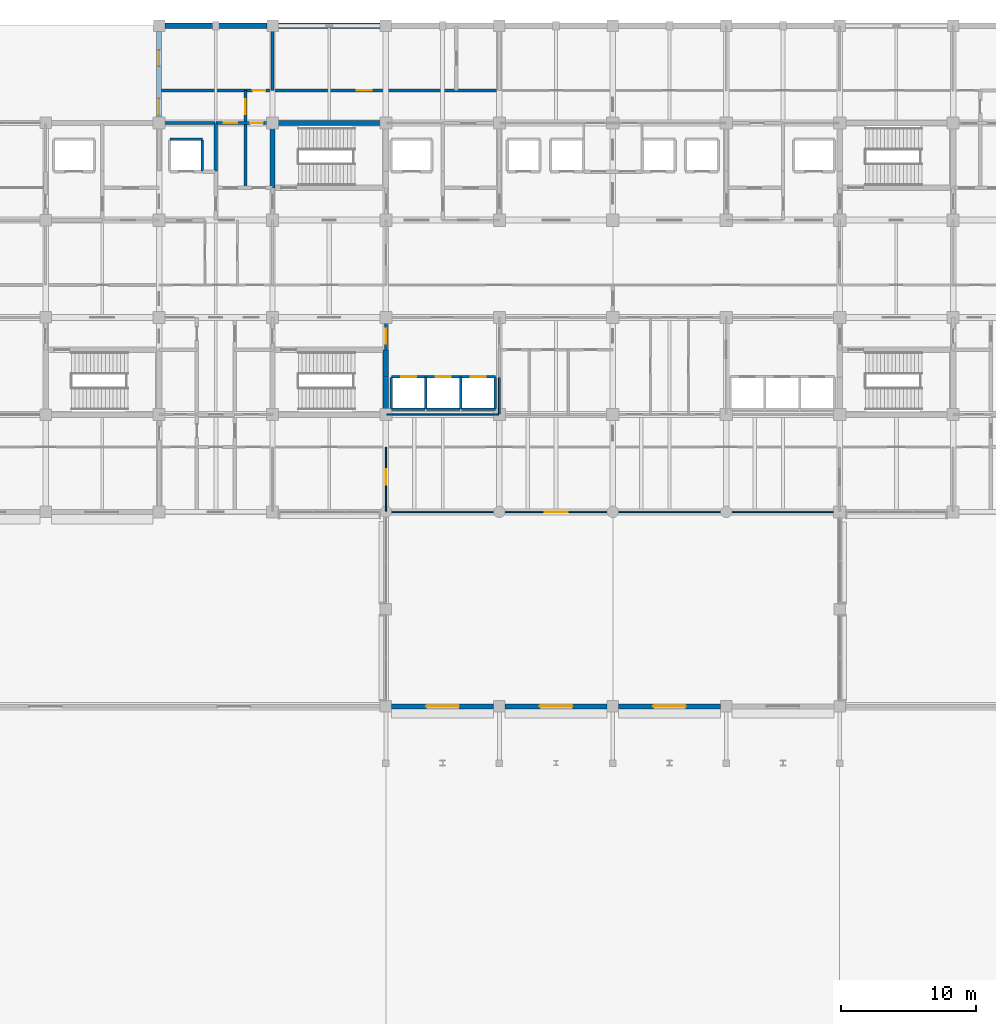
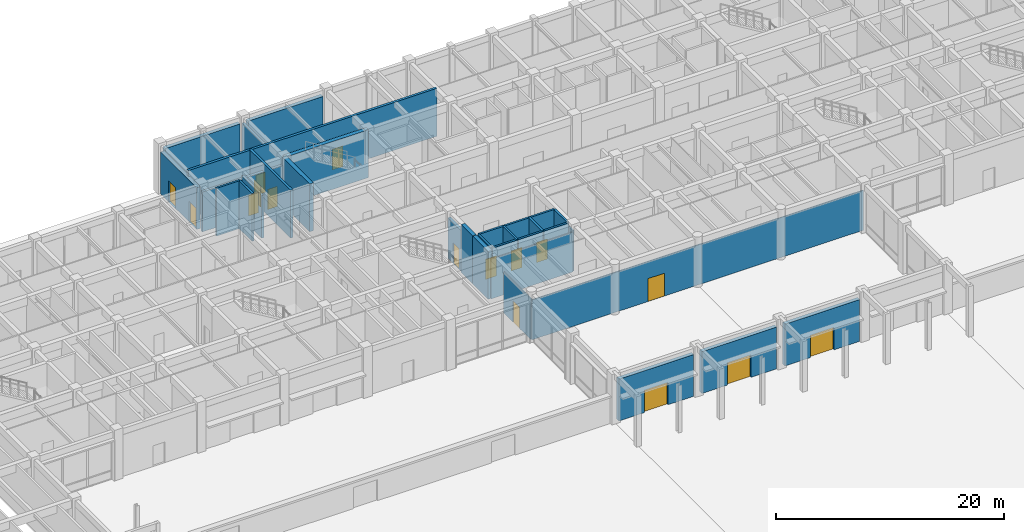
# One storey, part 46 of 73: 31 walls, 16 doors, 16 openings.
"""IFC4 building model written with IfcOpenShell, lengths in metres."""

from ifc_helpers import new_model, si_unit, direction, frame, frame_2d, origin, place, context, subcontext, project, spatial, rectangle, extrude, material, layer, layer_set, type_object, element, fill, save


model = new_model("IFC4")

# Units and contexts
model_context = context("Model", 3, precision=1e-05, world=origin(), true_north=direction((0.0, 1.0)))
body_context = subcontext(model_context, "Body", "Model", "MODEL_VIEW")
ifc_project = project(units=[si_unit("LENGTHUNIT", "METRE"), si_unit("AREAUNIT", "SQUARE_METRE"), si_unit("VOLUMEUNIT", "CUBIC_METRE"), si_unit("PLANEANGLEUNIT", "RADIAN"), si_unit("MASSUNIT", "GRAM", prefix="KILO")], contexts=[model_context])

# Site, building, storey
site_placement = place(None, origin())
site = spatial("IfcSite", under=ifc_project, at=site_placement, CompositionType="ELEMENT")
building_placement = place(site_placement, origin())
building = spatial("IfcBuilding", under=site, at=building_placement, Name="Chengyuan Square Courthouse", CompositionType="ELEMENT")
storey_placement = place(building_placement, origin())
storey = spatial("IfcBuildingStorey", under=building, at=storey_placement, Name="L01", CompositionType="ELEMENT", Elevation=0.0)

# Wall
ifc_material_1 = material(Name="Concrete C40", Category="concrete")
ifc_layer_1 = layer(ifc_material_1, 0.3798828125)
ifc_layer_set_1 = layer_set([ifc_layer_1], Name="Concrete C40")
wall_type_1 = type_object("IfcWallType", Name="WL-EW1", PredefinedType="STANDARD", material=ifc_layer_set_1)
wall_1_placement = place(storey_placement, frame((50.820068359375, 115.199951171875, 0.0), z_axis=(0.0, 0.0, 1.0), x_axis=(1.0, 0.0, 0.0)))
element("IfcWall", 1, at=wall_1_placement, inside=storey, type_object=wall_type_1, Name="Exterior Wall WL-L01-E168", PredefinedType="STANDARD", context=body_context, shape_type="SweptSolid", body=[
    extrude(rectangle(XDim=7.559814453125, YDim=0.3798828125, at=frame_2d((3.77978515625, 0.0))), origin(), (0.0, 0.0, 1.0), 4.469970703125),
])

# Wall, openings, doors
wall_2_placement = place(storey_placement, frame((50.39990234375, 108.445068359375, 0.0), z_axis=(0.0, 0.0, 1.0), x_axis=(0.0, 1.0, 0.0)))
wall_2 = element("IfcWall", 2, at=wall_2_placement, inside=storey, type_object=wall_type_1, Name="Exterior Wall WL-L01-E169", PredefinedType="STANDARD", context=body_context, shape_type="SweptSolid", body=[
    extrude(rectangle(XDim=6.3349609375, YDim=0.3798828125, at=frame_2d((3.16748046875, 0.0))), origin(), (0.0, 0.0, 1.0), 4.469970703125),
])
opening_1_placement = place(wall_2_placement, frame((0.155029296875, 0.0, 0.0)))
opening_1 = element("IfcOpeningElement", 3, at=opening_1_placement, cuts=wall_2, Name="Opening E-23", PredefinedType="OPENING", context=body_context, shape_type="SweptSolid", body=[
    extrude(rectangle(XDim=1.199951171875, YDim=2.199951171875, at=frame_2d((0.60009765625, 1.10009765625))), frame((0.0, 0.201904296875, 0.0), z_axis=(0.0, -1.0, 0.0), x_axis=(1.0, 0.0, 0.0)), (0.0, 0.0, 1.0), 0.40380859375),
])
opening_2_placement = place(wall_2_placement, frame((3.7548828125, 0.0, 0.0)))
opening_2 = element("IfcOpeningElement", 4, at=opening_2_placement, cuts=wall_2, Name="Opening DR-001", PredefinedType="OPENING", context=body_context, shape_type="SweptSolid", body=[
    extrude(rectangle(XDim=1.199951171875, YDim=2.199951171875, at=frame_2d((0.60009765625, 1.10009765625))), frame((0.0, 0.201904296875, 0.0), z_axis=(0.0, -1.0, 0.0), x_axis=(1.0, 0.0, 0.0)), (0.0, 0.0, 1.0), 0.40380859375),
])
ifc_material_2 = material(Name="Steel Q235B Fire Exit Door", Category="steel")
door_type_1 = type_object("IfcDoorType", Name="DT-03", OperationType="NOTDEFINED", PredefinedType="DOOR", material=ifc_material_2)
door_1_placement = place(opening_1_placement, origin())
door_1 = element("IfcDoor", 5, at=door_1_placement, inside=storey, type_object=door_type_1, Name="Protected Stair Exit Discharge Door E-23", OperationType="SINGLE_SWING_RIGHT", OverallHeight=2.199951171875, OverallWidth=1.199951171875, PredefinedType="DOOR", context=body_context, shape_type="SweptSolid", body=[
    extrude(rectangle(XDim=1.199951171875, YDim=2.199951171875, at=frame_2d((0.60009765625, 1.10009765625))), frame((0.0, 0.02490234375, 0.0), z_axis=(0.0, -1.0, 0.0), x_axis=(1.0, 0.0, 0.0)), (0.0, 0.0, 1.0), 0.050048828125),
])
fill(opening_1, door_1)
door_2_placement = place(opening_2_placement, origin())
door_2 = element("IfcDoor", 6, at=door_2_placement, inside=storey, type_object=door_type_1, Name="Fire Control Room Final Exit Door DR-001", OperationType="SINGLE_SWING_RIGHT", OverallHeight=2.199951171875, OverallWidth=1.199951171875, PredefinedType="DOOR", context=body_context, shape_type="SweptSolid", body=[
    extrude(rectangle(XDim=1.199951171875, YDim=2.199951171875, at=frame_2d((0.60009765625, 1.10009765625))), frame((0.0, 0.02490234375, 0.0), z_axis=(0.0, -1.0, 0.0), x_axis=(1.0, 0.0, 0.0)), (0.0, 0.0, 1.0), 0.050048828125),
])
fill(opening_2, door_2)

# Wall
wall_3_placement = place(storey_placement, frame((59.219970703125, 115.199951171875, 0.0), z_axis=(0.0, 0.0, 1.0), x_axis=(1.0, 0.0, 0.0)))
element("IfcWall", 7, at=wall_3_placement, inside=storey, type_object=wall_type_1, Name="Exterior Wall WL-L01-E170", PredefinedType="STANDARD", context=body_context, shape_type="SweptSolid", body=[
    extrude(rectangle(XDim=7.56005859375, YDim=0.3798828125, at=frame_2d((3.780029296875, 0.0))), origin(), (0.0, 0.0, 1.0), 4.469970703125),
])

# Wall, opening, door
wall_4_placement = place(storey_placement, frame((67.6201171875, 64.800048828125, 0.0), z_axis=(0.0, 0.0, 1.0), x_axis=(1.0, 0.0, 0.0)))
wall_4 = element("IfcWall", 8, at=wall_4_placement, inside=storey, type_object=wall_type_1, Name="Exterior Wall WL-L01-E171", PredefinedType="STANDARD", context=body_context, shape_type="SweptSolid", body=[
    extrude(rectangle(XDim=7.559814453125, YDim=0.3798828125, at=frame_2d((3.77978515625, 0.0))), origin(), (0.0, 0.0, 1.0), 4.469970703125),
])
opening_3_placement = place(wall_4_placement, frame((2.580078125, 0.0, 0.0)))
opening_3 = element("IfcOpeningElement", 9, at=opening_3_placement, cuts=wall_4, Name="Opening E-09", PredefinedType="OPENING", context=body_context, shape_type="SweptSolid", body=[
    extrude(rectangle(XDim=2.39990234375, YDim=2.39990234375, at=frame_2d((1.199951171875, 1.199951171875))), frame((0.0, 0.201904296875, 0.0), z_axis=(0.0, -1.0, 0.0), x_axis=(1.0, 0.0, 0.0)), (0.0, 0.0, 1.0), 0.40380859375),
])
ifc_material_3 = material(Name="Glazed Bronze Civic Entrance Door")
door_type_2 = type_object("IfcDoorType", Name="DT-01", OperationType="DOUBLE_DOOR_SINGLE_SWING", PredefinedType="DOOR", material=ifc_material_3)
door_3_placement = place(opening_3_placement, frame((2.39990234375, 0.0, 0.0), z_axis=(0.0, 0.0, 1.0), x_axis=(-1.0, 0.0, 0.0)))
door_3 = element("IfcDoor", 10, at=door_3_placement, inside=storey, type_object=door_type_2, Name="Main Pedestrian Entrance Exit Door E-09", OperationType="DOUBLE_DOOR_SINGLE_SWING", OverallHeight=2.39990234375, OverallWidth=2.39990234375, PredefinedType="DOOR", context=body_context, shape_type="SweptSolid", body=[
    extrude(rectangle(XDim=2.39990234375, YDim=2.39990234375, at=frame_2d((1.199951171875, 1.199951171875))), frame((0.0, 0.02490234375, 0.0), z_axis=(0.0, -1.0, 0.0), x_axis=(1.0, 0.0, 0.0)), (0.0, 0.0, 1.0), 0.050048828125),
])
fill(opening_3, door_3)

wall_5_placement = place(storey_placement, frame((76.02001953125, 64.800048828125, 0.0), z_axis=(0.0, 0.0, 1.0), x_axis=(1.0, 0.0, 0.0)))
wall_5 = element("IfcWall", 11, at=wall_5_placement, inside=storey, type_object=wall_type_1, Name="Exterior Wall WL-L01-E173", PredefinedType="STANDARD", context=body_context, shape_type="SweptSolid", body=[
    extrude(rectangle(XDim=7.56005859375, YDim=0.3798828125, at=frame_2d((3.780029296875, 0.0))), origin(), (0.0, 0.0, 1.0), 4.469970703125),
])
opening_4_placement = place(wall_5_placement, frame((2.580078125, 0.0, 0.0)))
opening_4 = element("IfcOpeningElement", 12, at=opening_4_placement, cuts=wall_5, Name="Opening E-10", PredefinedType="OPENING", context=body_context, shape_type="SweptSolid", body=[
    extrude(rectangle(XDim=2.39990234375, YDim=2.39990234375, at=frame_2d((1.199951171875, 1.199951171875))), frame((0.0, 0.201904296875, 0.0), z_axis=(0.0, -1.0, 0.0), x_axis=(1.0, 0.0, 0.0)), (0.0, 0.0, 1.0), 0.40380859375),
])
door_4_placement = place(opening_4_placement, frame((2.39990234375, 0.0, 0.0), z_axis=(0.0, 0.0, 1.0), x_axis=(-1.0, 0.0, 0.0)))
door_4 = element("IfcDoor", 13, at=door_4_placement, inside=storey, type_object=door_type_2, Name="Main Pedestrian Entrance Exit Door E-10", OperationType="DOUBLE_DOOR_SINGLE_SWING", OverallHeight=2.39990234375, OverallWidth=2.39990234375, PredefinedType="DOOR", context=body_context, shape_type="SweptSolid", body=[
    extrude(rectangle(XDim=2.39990234375, YDim=2.39990234375, at=frame_2d((1.199951171875, 1.199951171875))), frame((0.0, 0.02490234375, 0.0), z_axis=(0.0, -1.0, 0.0), x_axis=(1.0, 0.0, 0.0)), (0.0, 0.0, 1.0), 0.050048828125),
])
fill(opening_4, door_4)

wall_6_placement = place(storey_placement, frame((84.419921875, 64.800048828125, 0.0), z_axis=(0.0, 0.0, 1.0), x_axis=(1.0, 0.0, 0.0)))
wall_6 = element("IfcWall", 14, at=wall_6_placement, inside=storey, type_object=wall_type_1, Name="Exterior Wall WL-L01-E175", PredefinedType="STANDARD", context=body_context, shape_type="SweptSolid", body=[
    extrude(rectangle(XDim=7.56005859375, YDim=0.3798828125, at=frame_2d((3.780029296875, 0.0))), origin(), (0.0, 0.0, 1.0), 4.469970703125),
])
opening_5_placement = place(wall_6_placement, frame((2.580078125, 0.0, 0.0)))
opening_5 = element("IfcOpeningElement", 15, at=opening_5_placement, cuts=wall_6, Name="Opening E-11", PredefinedType="OPENING", context=body_context, shape_type="SweptSolid", body=[
    extrude(rectangle(XDim=2.39990234375, YDim=2.39990234375, at=frame_2d((1.199951171875, 1.199951171875))), frame((0.0, 0.201904296875, 0.0), z_axis=(0.0, -1.0, 0.0), x_axis=(1.0, 0.0, 0.0)), (0.0, 0.0, 1.0), 0.40380859375),
])
door_5_placement = place(opening_5_placement, frame((2.39990234375, 0.0, 0.0), z_axis=(0.0, 0.0, 1.0), x_axis=(-1.0, 0.0, 0.0)))
door_5 = element("IfcDoor", 16, at=door_5_placement, inside=storey, type_object=door_type_2, Name="Main Pedestrian Entrance Exit Door E-11", OperationType="DOUBLE_DOOR_SINGLE_SWING", OverallHeight=2.39990234375, OverallWidth=2.39990234375, PredefinedType="DOOR", context=body_context, shape_type="SweptSolid", body=[
    extrude(rectangle(XDim=2.39990234375, YDim=2.39990234375, at=frame_2d((1.199951171875, 1.199951171875))), frame((0.0, 0.02490234375, 0.0), z_axis=(0.0, -1.0, 0.0), x_axis=(1.0, 0.0, 0.0)), (0.0, 0.0, 1.0), 0.050048828125),
])
fill(opening_5, door_5)

# Wall
ifc_layer_2 = layer(ifc_material_1, 0.25)
ifc_layer_set_2 = layer_set([ifc_layer_2], Name="Concrete C40")
wall_type_2 = type_object("IfcWallType", Name="WL-FW1", PredefinedType="STANDARD", material=ifc_layer_set_2)
wall_7_placement = place(storey_placement, frame((50.449951171875, 108.0, 0.0), z_axis=(0.0, 0.0, 1.0), x_axis=(1.0, 0.0, 0.0)))
element("IfcWall", 17, at=wall_7_placement, inside=storey, type_object=wall_type_2, Name="Interior Wall WL-L01-I804", PredefinedType="STANDARD", context=body_context, shape_type="SweptSolid", body=[
    extrude(rectangle(XDim=4.10009765625, YDim=0.25, at=frame_2d((2.050048828125, 0.0))), origin(), (0.0, 0.0, 1.0), 4.27001953125),
])

# Wall, openings, doors
wall_8_placement = place(storey_placement, frame((54.60009765625, 108.0, 0.0), z_axis=(0.0, 0.0, 1.0), x_axis=(1.0, 0.0, 0.0)))
wall_8 = element("IfcWall", 18, at=wall_8_placement, inside=storey, type_object=wall_type_2, Name="Interior Wall WL-L01-I805", PredefinedType="STANDARD", context=body_context, shape_type="SweptSolid", body=[
    extrude(rectangle(XDim=4.199951171875, YDim=0.25, at=frame_2d((2.10009765625, 0.0))), origin(), (0.0, 0.0, 1.0), 4.27001953125),
])
opening_6_placement = place(wall_8_placement, frame((0.60009765625, 0.0, 0.0)))
opening_6 = element("IfcOpeningElement", 19, at=opening_6_placement, cuts=wall_8, Name="Opening DR-747", PredefinedType="OPENING", context=body_context, shape_type="SweptSolid", body=[
    extrude(rectangle(XDim=1.0, YDim=2.199951171875, at=frame_2d((0.5, 1.10009765625))), frame((0.0, 0.136962890625, 0.0), z_axis=(0.0, -1.0, 0.0), x_axis=(1.0, 0.0, 0.0)), (0.0, 0.0, 1.0), 0.27392578125),
])
opening_7_placement = place(wall_8_placement, frame((2.5400390625, 0.0, 0.0)))
opening_7 = element("IfcOpeningElement", 20, at=opening_7_placement, cuts=wall_8, Name="Opening DR-748", PredefinedType="OPENING", context=body_context, shape_type="SweptSolid", body=[
    extrude(rectangle(XDim=0.949951171875, YDim=2.14990234375, at=frame_2d((0.47509765625, 1.074951171875))), frame((0.0, 0.136962890625, 0.0), z_axis=(0.0, -1.0, 0.0), x_axis=(1.0, 0.0, 0.0)), (0.0, 0.0, 1.0), 0.27392578125),
])
ifc_material_4 = material(Name="Steel Q235B Fire Door", Category="steel")
door_type_3 = type_object("IfcDoorType", Name="DT-11", OperationType="NOTDEFINED", PredefinedType="DOOR", material=ifc_material_4)
door_6_placement = place(opening_6_placement, origin())
door_6 = element("IfcDoor", 21, at=door_6_placement, inside=storey, type_object=door_type_3, Name="Interior Door DR-747", OperationType="SINGLE_SWING_LEFT", OverallHeight=2.199951171875, OverallWidth=1.0, PredefinedType="DOOR", context=body_context, shape_type="SweptSolid", body=[
    extrude(rectangle(XDim=1.0, YDim=2.199951171875, at=frame_2d((0.5, 1.10009765625))), frame((0.0, 0.02490234375, 0.0), z_axis=(0.0, -1.0, 0.0), x_axis=(1.0, 0.0, 0.0)), (0.0, 0.0, 1.0), 0.050048828125),
])
fill(opening_6, door_6)
door_type_4 = type_object("IfcDoorType", Name="DT-12", OperationType="NOTDEFINED", PredefinedType="DOOR", material=ifc_material_4)
door_7_placement = place(opening_7_placement, origin())
door_7 = element("IfcDoor", 22, at=door_7_placement, inside=storey, type_object=door_type_4, Name="Interior Door DR-748", OperationType="SINGLE_SWING_RIGHT", OverallHeight=2.14990234375, OverallWidth=0.949951171875, PredefinedType="DOOR", context=body_context, shape_type="SweptSolid", body=[
    extrude(rectangle(XDim=0.949951171875, YDim=2.14990234375, at=frame_2d((0.47509765625, 1.074951171875))), frame((0.0, 0.02490234375, 0.0), z_axis=(0.0, -1.0, 0.0), x_axis=(1.0, 0.0, 0.0)), (0.0, 0.0, 1.0), 0.050048828125),
])
fill(opening_7, door_7)

wall_9_placement = place(storey_placement, frame((50.43994140625, 110.39990234375, 0.0), z_axis=(0.0, 0.0, 1.0), x_axis=(1.0, 0.0, 0.0)))
wall_9 = element("IfcWall", 23, at=wall_9_placement, inside=storey, type_object=wall_type_2, Name="Interior Wall WL-L01-I817", PredefinedType="STANDARD", context=body_context, shape_type="SweptSolid", body=[
    extrude(rectangle(XDim=25.16015625, YDim=0.25, at=frame_2d((12.580078125, 0.0))), origin(), (0.0, 0.0, 1.0), 5.1201171875),
])
opening_8_placement = place(wall_9_placement, frame((6.885009765625, 0.0, 0.0)))
opening_8 = element("IfcOpeningElement", 24, at=opening_8_placement, cuts=wall_9, Name="Opening DR-898", PredefinedType="OPENING", context=body_context, shape_type="SweptSolid", body=[
    extrude(rectangle(XDim=0.949951171875, YDim=2.14990234375, at=frame_2d((0.47509765625, 1.074951171875))), frame((0.0, 0.136962890625, 0.0), z_axis=(0.0, -1.0, 0.0), x_axis=(1.0, 0.0, 0.0)), (0.0, 0.0, 1.0), 0.27392578125),
])
opening_9_placement = place(wall_9_placement, frame((14.610107421875, 0.0, 0.0)))
opening_9 = element("IfcOpeningElement", 25, at=opening_9_placement, cuts=wall_9, Name="Opening DR-899", PredefinedType="OPENING", context=body_context, shape_type="SweptSolid", body=[
    extrude(rectangle(XDim=1.10009765625, YDim=2.199951171875, at=frame_2d((0.550048828125, 1.10009765625))), frame((0.0, 0.136962890625, 0.0), z_axis=(0.0, -1.0, 0.0), x_axis=(1.0, 0.0, 0.0)), (0.0, 0.0, 1.0), 0.27392578125),
])
door_type_5 = type_object("IfcDoorType", Name="DT-10", OperationType="NOTDEFINED", PredefinedType="DOOR", material=ifc_material_4)
door_8_placement = place(opening_9_placement, origin())
door_8 = element("IfcDoor", 26, at=door_8_placement, inside=storey, type_object=door_type_5, Name="Interior Door DR-899", OperationType="SINGLE_SWING_RIGHT", OverallHeight=2.199951171875, OverallWidth=1.10009765625, PredefinedType="DOOR", context=body_context, shape_type="SweptSolid", body=[
    extrude(rectangle(XDim=1.10009765625, YDim=2.199951171875, at=frame_2d((0.550048828125, 1.10009765625))), frame((0.0, 0.02490234375, 0.0), z_axis=(0.0, -1.0, 0.0), x_axis=(1.0, 0.0, 0.0)), (0.0, 0.0, 1.0), 0.050048828125),
])
fill(opening_9, door_8)
door_9_placement = place(opening_8_placement, origin())
door_9 = element("IfcDoor", 27, at=door_9_placement, inside=storey, type_object=door_type_4, Name="Interior Door DR-898", OperationType="SINGLE_SWING_LEFT", OverallHeight=2.14990234375, OverallWidth=0.949951171875, PredefinedType="DOOR", context=body_context, shape_type="SweptSolid", body=[
    extrude(rectangle(XDim=0.949951171875, YDim=2.14990234375, at=frame_2d((0.47509765625, 1.074951171875))), frame((0.0, 0.02490234375, 0.0), z_axis=(0.0, -1.0, 0.0), x_axis=(1.0, 0.0, 0.0)), (0.0, 0.0, 1.0), 0.050048828125),
])
fill(opening_8, door_9)

# Wall
wall_10_placement = place(storey_placement, frame((54.60009765625, 104.449951171875, 0.0), z_axis=(0.0, 0.0, 1.0), x_axis=(0.0, 1.0, 0.0)))
element("IfcWall", 28, at=wall_10_placement, inside=storey, type_object=wall_type_2, Name="Interior Wall WL-L01-I874", PredefinedType="STANDARD", context=body_context, shape_type="SweptSolid", body=[
    extrude(rectangle(XDim=3.5, YDim=0.25, at=frame_2d((1.75, 0.0))), origin(), (0.0, 0.0, 1.0), 4.570068359375),
])

# Wall, opening, door
wall_11_placement = place(storey_placement, frame((56.800048828125, 103.199951171875, 0.0), z_axis=(0.0, 0.0, 1.0), x_axis=(0.0, 1.0, 0.0)))
wall_11 = element("IfcWall", 29, at=wall_11_placement, inside=storey, type_object=wall_type_2, Name="Interior Wall WL-L01-I877", PredefinedType="STANDARD", context=body_context, shape_type="SweptSolid", body=[
    extrude(rectangle(XDim=7.199951171875, YDim=0.25, at=frame_2d((3.60009765625, 0.0))), origin(), (0.0, 0.0, 1.0), 5.1201171875),
])
opening_10_placement = place(wall_11_placement, frame((5.449951171875, 0.0, 0.0)))
opening_10 = element("IfcOpeningElement", 30, at=opening_10_placement, cuts=wall_11, Name="Opening DR-896", PredefinedType="OPENING", context=body_context, shape_type="SweptSolid", body=[
    extrude(rectangle(XDim=1.10009765625, YDim=2.199951171875, at=frame_2d((0.550048828125, 1.10009765625))), frame((0.0, 0.136962890625, 0.0), z_axis=(0.0, -1.0, 0.0), x_axis=(1.0, 0.0, 0.0)), (0.0, 0.0, 1.0), 0.27392578125),
])
door_10_placement = place(opening_10_placement, origin())
door_10 = element("IfcDoor", 31, at=door_10_placement, inside=storey, type_object=door_type_5, Name="Interior Door DR-896", OperationType="SINGLE_SWING_LEFT", OverallHeight=2.199951171875, OverallWidth=1.10009765625, PredefinedType="DOOR", context=body_context, shape_type="SweptSolid", body=[
    extrude(rectangle(XDim=1.10009765625, YDim=2.199951171875, at=frame_2d((0.550048828125, 1.10009765625))), frame((0.0, 0.02490234375, 0.0), z_axis=(0.0, -1.0, 0.0), x_axis=(1.0, 0.0, 0.0)), (0.0, 0.0, 1.0), 0.050048828125),
])
fill(opening_10, door_10)

# Wall
wall_12_placement = place(storey_placement, frame((58.800048828125, 110.39990234375, 0.0), z_axis=(0.0, 0.0, 1.0), x_axis=(0.0, 1.0, 0.0)))
element("IfcWall", 32, at=wall_12_placement, inside=storey, type_object=wall_type_2, Name="Interior Wall WL-L01-I884", PredefinedType="STANDARD", context=body_context, shape_type="SweptSolid", body=[
    extrude(rectangle(XDim=4.760009765625, YDim=0.25, at=frame_2d((2.3798828125, 0.0))), origin(), (0.0, 0.0, 1.0), 4.3701171875),
])

# Wall, opening, door
wall_13_placement = place(storey_placement, frame((67.199951171875, 91.199951171875, 0.0), z_axis=(0.0, 0.0, 1.0), x_axis=(0.0, 1.0, 0.0)))
wall_13 = element("IfcWall", 33, at=wall_13_placement, inside=storey, type_object=wall_type_2, Name="Interior Wall WL-L01-I888", PredefinedType="STANDARD", context=body_context, shape_type="SweptSolid", body=[
    extrude(rectangle(XDim=2.400146484375, YDim=0.25, at=frame_2d((1.2001953125, 0.0))), origin(), (0.0, 0.0, 1.0), 4.3701171875),
])
opening_11_placement = place(wall_13_placement, frame((0.465087890625, 0.0, 0.0)))
opening_11 = element("IfcOpeningElement", 34, at=opening_11_placement, cuts=wall_13, Name="Opening DR-674", PredefinedType="OPENING", context=body_context, shape_type="SweptSolid", body=[
    extrude(rectangle(XDim=1.10009765625, YDim=2.199951171875, at=frame_2d((0.550048828125, 1.10009765625))), frame((0.0, 0.136962890625, 0.0), z_axis=(0.0, -1.0, 0.0), x_axis=(1.0, 0.0, 0.0)), (0.0, 0.0, 1.0), 0.27392578125),
])
door_11_placement = place(opening_11_placement, origin())
door_11 = element("IfcDoor", 35, at=door_11_placement, inside=storey, type_object=door_type_5, Name="Interior Door DR-674", OperationType="SINGLE_SWING_LEFT", OverallHeight=2.199951171875, OverallWidth=1.10009765625, PredefinedType="DOOR", context=body_context, shape_type="SweptSolid", body=[
    extrude(rectangle(XDim=1.10009765625, YDim=2.199951171875, at=frame_2d((0.550048828125, 1.10009765625))), frame((0.0, 0.02490234375, 0.0), z_axis=(0.0, -1.0, 0.0), x_axis=(1.0, 0.0, 0.0)), (0.0, 0.0, 1.0), 0.050048828125),
])
fill(opening_11, door_11)

# Wall
ifc_material_5 = material(Name="Moisture-Resistant Masonry Wet-Room Partition", Category="masonry")
ifc_layer_3 = layer(ifc_material_5, 0.139892578125)
ifc_layer_set_3 = layer_set([ifc_layer_3], Name="Moisture-Resistant Masonry Wet-Room Partition")
wall_type_3 = type_object("IfcWallType", Name="WL-PT4", PredefinedType="STANDARD", material=ifc_layer_set_3)
wall_14_placement = place(storey_placement, frame((75.60009765625, 86.449951171875, 0.0), z_axis=(0.0, 0.0, 1.0), x_axis=(0.0, 1.0, 0.0)))
element("IfcWall", 36, at=wall_14_placement, inside=storey, type_object=wall_type_3, Name="Interior Wall WL-L01-I902", PredefinedType="STANDARD", context=body_context, shape_type="SweptSolid", body=[
    extrude(rectangle(XDim=2.699951171875, YDim=0.139892578125, at=frame_2d((1.35009765625, 0.0))), origin(), (0.0, 0.0, 1.0), 4.3701171875),
])

# Wall, opening, door
ifc_material_6 = material(Name="Gypsum Plasterboard Acoustic Stud Partition")
ifc_layer_4 = layer(ifc_material_6, 0.10009765625)
ifc_layer_set_4 = layer_set([ifc_layer_4], Name="Gypsum Plasterboard Acoustic Stud Partition")
wall_type_4 = type_object("IfcWallType", Name="WL-PT6", PredefinedType="STANDARD", material=ifc_layer_set_4)
wall_15_placement = place(storey_placement, frame((67.239990234375, 79.199951171875, 0.0), z_axis=(0.0, 0.0, 1.0), x_axis=(1.0, 0.0, 0.0)))
wall_15 = element("IfcWall", 37, at=wall_15_placement, inside=storey, type_object=wall_type_4, Name="Interior Wall WL-L01-I668", PredefinedType="STANDARD", context=body_context, shape_type="SweptSolid", body=[
    extrude(rectangle(XDim=33.52001953125, YDim=0.10009765625, at=frame_2d((16.760009765625, 0.0))), origin(), (0.0, 0.0, 1.0), 4.27001953125),
])
opening_12_placement = place(wall_15_placement, frame((11.7099609375, 0.0, 0.0)))
opening_12 = element("IfcOpeningElement", 38, at=opening_12_placement, cuts=wall_15, Name="Opening DR-710", PredefinedType="OPENING", context=body_context, shape_type="SweptSolid", body=[
    extrude(rectangle(XDim=1.699951171875, YDim=2.449951171875, at=frame_2d((0.85009765625, 1.22509765625))), frame((0.0, 0.06201171875, 0.0), z_axis=(0.0, -1.0, 0.0), x_axis=(1.0, 0.0, 0.0)), (0.0, 0.0, 1.0), 0.1240234375),
])
ifc_material_7 = material(Name="Acoustic Larch Veneer Double Door")
door_type_6 = type_object("IfcDoorType", Name="DT-24", OperationType="DOUBLE_DOOR_SINGLE_SWING", PredefinedType="DOOR", material=ifc_material_7)
door_12_placement = place(opening_12_placement, frame((1.699951171875, 0.0, 0.0), z_axis=(0.0, 0.0, 1.0), x_axis=(-1.0, 0.0, 0.0)))
door_12 = element("IfcDoor", 39, at=door_12_placement, inside=storey, type_object=door_type_6, Name="Interior Door DR-710", OperationType="DOUBLE_DOOR_SINGLE_SWING", OverallHeight=2.449951171875, OverallWidth=1.699951171875, PredefinedType="DOOR", context=body_context, shape_type="SweptSolid", body=[
    extrude(rectangle(XDim=1.699951171875, YDim=2.449951171875, at=frame_2d((0.85009765625, 1.22509765625))), frame((0.0, 0.02490234375, 0.0), z_axis=(0.0, -1.0, 0.0), x_axis=(1.0, 0.0, 0.0)), (0.0, 0.0, 1.0), 0.050048828125),
])
fill(opening_12, door_12)

# Wall
wall_16_placement = place(storey_placement, frame((67.25, 86.39990234375, 0.0), z_axis=(0.0, 0.0, 1.0), x_axis=(1.0, 0.0, 0.0)))
element("IfcWall", 40, at=wall_16_placement, inside=storey, type_object=wall_type_4, Name="Interior Wall WL-L01-I690", PredefinedType="STANDARD", context=body_context, shape_type="SweptSolid", body=[
    extrude(rectangle(XDim=8.300048828125, YDim=0.10009765625, at=frame_2d((4.14990234375, 0.0))), origin(), (0.0, 0.0, 1.0), 4.27001953125),
])

# Wall, opening, door
wall_17_placement = place(storey_placement, frame((67.199951171875, 79.239990234375, 0.0), z_axis=(0.0, 0.0, 1.0), x_axis=(0.0, 1.0, 0.0)))
wall_17 = element("IfcWall", 41, at=wall_17_placement, inside=storey, type_object=wall_type_4, Name="Interior Wall WL-L01-I885", PredefinedType="STANDARD", context=body_context, shape_type="SweptSolid", body=[
    extrude(rectangle(XDim=4.760009765625, YDim=0.10009765625, at=frame_2d((2.3798828125, 0.0))), origin(), (0.0, 0.0, 1.0), 4.3701171875),
])
opening_13_placement = place(wall_17_placement, frame((1.952392578125, 0.0, 0.0)))
opening_13 = element("IfcOpeningElement", 42, at=opening_13_placement, cuts=wall_17, Name="Opening DR-942", PredefinedType="OPENING", context=body_context, shape_type="SweptSolid", body=[
    extrude(rectangle(XDim=1.159912109375, YDim=2.300048828125, at=frame_2d((0.580078125, 1.14990234375))), frame((0.0, 0.06201171875, 0.0), z_axis=(0.0, -1.0, 0.0), x_axis=(1.0, 0.0, 0.0)), (0.0, 0.0, 1.0), 0.1240234375),
])
ifc_material_8 = material(Name="Acoustic Solid-Core Timber Door", Category="wood")
door_type_7 = type_object("IfcDoorType", Name="DT-35", OperationType="NOTDEFINED", PredefinedType="DOOR", material=ifc_material_8)
door_13_placement = place(opening_13_placement, origin())
door_13 = element("IfcDoor", 43, at=door_13_placement, inside=storey, type_object=door_type_7, Name="Interior Door DR-942", OperationType="SINGLE_SWING_RIGHT", OverallHeight=2.300048828125, OverallWidth=1.159912109375, PredefinedType="DOOR", context=body_context, shape_type="SweptSolid", body=[
    extrude(rectangle(XDim=1.159912109375, YDim=2.300048828125, at=frame_2d((0.580078125, 1.14990234375))), frame((0.0, 0.02490234375, 0.0), z_axis=(0.0, -1.0, 0.0), x_axis=(1.0, 0.0, 0.0)), (0.0, 0.0, 1.0), 0.050048828125),
])
fill(opening_13, door_13)

# Walls
ifc_material_9 = material(Name="Reinforced Masonry Shaft Enclosure", Category="masonry")
ifc_layer_5 = layer(ifc_material_9, 0.199951171875)
ifc_layer_set_5 = layer_set([ifc_layer_5], Name="Reinforced Masonry Shaft Enclosure")
wall_type_5 = type_object("IfcWallType", Name="WL-SH1", PredefinedType="STANDARD", material=ifc_layer_set_5)
for number, where, z_axis, x_axis, name in (
    (44, (67.60009765625, 86.800048828125, 0.0), (0.0, 0.0, 1.0), (1.0, 0.0, 0.0), "Interior Wall WL-L01-I704"),
    (45, (70.199951171875, 86.800048828125, 0.0), (0.0, 0.0, 1.0), (1.0, 0.0, 0.0), "Interior Wall WL-L01-I705"),
    (46, (72.800048828125, 86.800048828125, 0.0), (0.0, 0.0, 1.0), (1.0, 0.0, 0.0), "Interior Wall WL-L01-I706"),
):
    element("IfcWall", number, at=place(storey_placement, frame(where, z_axis=z_axis, x_axis=x_axis)), inside=storey, type_object=wall_type_5, Name=name, PredefinedType="STANDARD", context=body_context, shape_type="SweptSolid", body=[
        extrude(rectangle(XDim=2.5, YDim=0.199951171875, at=frame_2d((1.25, 0.0))), origin(), (0.0, 0.0, 1.0), 5.1201171875),
    ])

# Wall, openings, doors
wall_18_placement = place(storey_placement, frame((67.60009765625, 89.199951171875, 0.0), z_axis=(0.0, 0.0, 1.0), x_axis=(1.0, 0.0, 0.0)))
wall_18 = element("IfcWall", 47, at=wall_18_placement, inside=storey, type_object=wall_type_5, Name="Interior Wall WL-L01-I710", PredefinedType="STANDARD", context=body_context, shape_type="SweptSolid", body=[
    extrude(rectangle(XDim=7.699951171875, YDim=0.199951171875, at=frame_2d((3.85009765625, 0.0))), origin(), (0.0, 0.0, 1.0), 5.1201171875),
])
opening_14_placement = place(wall_18_placement, frame((0.72509765625, 0.0, 0.0)))
opening_14 = element("IfcOpeningElement", 48, at=opening_14_placement, cuts=wall_18, Name="Opening LD-029", PredefinedType="OPENING", context=body_context, shape_type="SweptSolid", body=[
    extrude(rectangle(XDim=1.10009765625, YDim=2.14990234375, at=frame_2d((0.550048828125, 1.074951171875))), frame((0.0, 0.112060546875, 0.0), z_axis=(0.0, -1.0, 0.0), x_axis=(1.0, 0.0, 0.0)), (0.0, 0.0, 1.0), 0.223876953125),
])
opening_15_placement = place(wall_18_placement, frame((3.300048828125, 0.0, 0.0)))
opening_15 = element("IfcOpeningElement", 49, at=opening_15_placement, cuts=wall_18, Name="Opening LD-030", PredefinedType="OPENING", context=body_context, shape_type="SweptSolid", body=[
    extrude(rectangle(XDim=1.10009765625, YDim=2.14990234375, at=frame_2d((0.550048828125, 1.074951171875))), frame((0.0, 0.112060546875, 0.0), z_axis=(0.0, -1.0, 0.0), x_axis=(1.0, 0.0, 0.0)), (0.0, 0.0, 1.0), 0.223876953125),
])
opening_16_placement = place(wall_18_placement, frame((5.875, 0.0, 0.0)))
opening_16 = element("IfcOpeningElement", 50, at=opening_16_placement, cuts=wall_18, Name="Opening LD-031", PredefinedType="OPENING", context=body_context, shape_type="SweptSolid", body=[
    extrude(rectangle(XDim=1.10009765625, YDim=2.14990234375, at=frame_2d((0.550048828125, 1.074951171875))), frame((0.0, 0.112060546875, 0.0), z_axis=(0.0, -1.0, 0.0), x_axis=(1.0, 0.0, 0.0)), (0.0, 0.0, 1.0), 0.223876953125),
])
ifc_material_10 = material(Name="Stainless Steel S30408 Lift Landing Door", Category="steel")
door_type_8 = type_object("IfcDoorType", Name="DT-06", OperationType="DOUBLE_DOOR_SLIDING", PredefinedType="DOOR", material=ifc_material_10)
door_14_placement = place(opening_14_placement, origin())
door_14 = element("IfcDoor", 51, at=door_14_placement, inside=storey, type_object=door_type_8, Name="Lift Landing Door LF-P1 L01", OperationType="DOUBLE_DOOR_SLIDING", OverallHeight=2.14990234375, OverallWidth=1.10009765625, PredefinedType="DOOR", context=body_context, shape_type="SweptSolid", body=[
    extrude(rectangle(XDim=1.10009765625, YDim=2.14990234375, at=frame_2d((0.550048828125, 1.074951171875))), frame((0.0, 0.02490234375, 0.0), z_axis=(0.0, -1.0, 0.0), x_axis=(1.0, 0.0, 0.0)), (0.0, 0.0, 1.0), 0.050048828125),
])
fill(opening_14, door_14)
door_15_placement = place(opening_15_placement, origin())
door_15 = element("IfcDoor", 52, at=door_15_placement, inside=storey, type_object=door_type_8, Name="Lift Landing Door LF-P2 L01", OperationType="DOUBLE_DOOR_SLIDING", OverallHeight=2.14990234375, OverallWidth=1.10009765625, PredefinedType="DOOR", context=body_context, shape_type="SweptSolid", body=[
    extrude(rectangle(XDim=1.10009765625, YDim=2.14990234375, at=frame_2d((0.550048828125, 1.074951171875))), frame((0.0, 0.02490234375, 0.0), z_axis=(0.0, -1.0, 0.0), x_axis=(1.0, 0.0, 0.0)), (0.0, 0.0, 1.0), 0.050048828125),
])
fill(opening_15, door_15)
door_16_placement = place(opening_16_placement, origin())
door_16 = element("IfcDoor", 53, at=door_16_placement, inside=storey, type_object=door_type_8, Name="Lift Landing Door LF-P3 L01", OperationType="DOUBLE_DOOR_SLIDING", OverallHeight=2.14990234375, OverallWidth=1.10009765625, PredefinedType="DOOR", context=body_context, shape_type="SweptSolid", body=[
    extrude(rectangle(XDim=1.10009765625, YDim=2.14990234375, at=frame_2d((0.550048828125, 1.074951171875))), frame((0.0, 0.02490234375, 0.0), z_axis=(0.0, -1.0, 0.0), x_axis=(1.0, 0.0, 0.0)), (0.0, 0.0, 1.0), 0.050048828125),
])
fill(opening_16, door_16)

# Walls
wall_19_placement = place(storey_placement, frame((51.199951171875, 106.800048828125, 0.0), z_axis=(0.0, 0.0, 1.0), x_axis=(1.0, 0.0, 0.0)))
element("IfcWall", 54, at=wall_19_placement, inside=storey, type_object=wall_type_5, Name="Interior Wall WL-L01-I795", PredefinedType="STANDARD", context=body_context, shape_type="SweptSolid", body=[
    extrude(rectangle(XDim=2.400146484375, YDim=0.199951171875, at=frame_2d((1.2001953125, 0.0))), origin(), (0.0, 0.0, 1.0), 5.1201171875),
])
wall_20_placement = place(storey_placement, frame((53.60009765625, 104.449951171875, 0.0), z_axis=(0.0, 0.0, 1.0), x_axis=(0.0, 1.0, 0.0)))
element("IfcWall", 55, at=wall_20_placement, inside=storey, type_object=wall_type_5, Name="Interior Wall WL-L01-I871", PredefinedType="STANDARD", context=body_context, shape_type="SweptSolid", body=[
    extrude(rectangle(XDim=2.300048828125, YDim=0.199951171875, at=frame_2d((1.14990234375, 0.0))), origin(), (0.0, 0.0, 1.0), 5.1201171875),
])
wall_21_placement = place(storey_placement, frame((67.60009765625, 86.85009765625, 0.0), z_axis=(0.0, 0.0, 1.0), x_axis=(0.0, 1.0, 0.0)))
element("IfcWall", 56, at=wall_21_placement, inside=storey, type_object=wall_type_5, Name="Interior Wall WL-L01-I893", PredefinedType="STANDARD", context=body_context, shape_type="SweptSolid", body=[
    extrude(rectangle(XDim=2.2998046875, YDim=0.199951171875, at=frame_2d((1.14990234375, 0.0))), origin(), (0.0, 0.0, 1.0), 5.1201171875),
])
for number, where, z_axis, x_axis, name in (
    (57, (70.14990234375, 86.800048828125, 0.0), (0.0, 0.0, 1.0), (0.0, 1.0, 0.0), "Interior Wall WL-L01-I895"),
    (58, (72.75, 86.800048828125, 0.0), (0.0, 0.0, 1.0), (0.0, 1.0, 0.0), "Interior Wall WL-L01-I900"),
):
    element("IfcWall", number, at=place(storey_placement, frame(where, z_axis=z_axis, x_axis=x_axis)), inside=storey, type_object=wall_type_5, Name=name, PredefinedType="STANDARD", context=body_context, shape_type="SweptSolid", body=[
        extrude(rectangle(XDim=2.39990234375, YDim=0.199951171875, at=frame_2d((1.199951171875, 0.0))), origin(), (0.0, 0.0, 1.0), 5.1201171875),
    ])
wall_22_placement = place(storey_placement, frame((75.300048828125, 86.85009765625, 0.0), z_axis=(0.0, 0.0, 1.0), x_axis=(0.0, 1.0, 0.0)))
element("IfcWall", 59, at=wall_22_placement, inside=storey, type_object=wall_type_5, Name="Interior Wall WL-L01-I901", PredefinedType="STANDARD", context=body_context, shape_type="SweptSolid", body=[
    extrude(rectangle(XDim=2.2998046875, YDim=0.199951171875, at=frame_2d((1.14990234375, 0.0))), origin(), (0.0, 0.0, 1.0), 5.1201171875),
])
ifc_material_11 = material(Name="Concrete C50", Category="concrete")
ifc_layer_6 = layer(ifc_material_11, 0.39990234375)
ifc_layer_set_6 = layer_set([ifc_layer_6], Name="Concrete C50")
wall_type_6 = type_object("IfcWallType", Name="WL-SW1", PredefinedType="SHEAR", material=ifc_layer_set_6)
wall_23_placement = place(storey_placement, frame((58.800048828125, 108.0, 0.0), z_axis=(0.0, 0.0, 1.0), x_axis=(1.0, 0.0, 0.0)))
element("IfcWall", 60, at=wall_23_placement, inside=storey, type_object=wall_type_6, Name="Interior Wall WL-L01-I806", PredefinedType="SHEAR", context=body_context, shape_type="SweptSolid", body=[
    extrude(rectangle(XDim=8.39990234375, YDim=0.39990234375, at=frame_2d((4.199951171875, 0.0))), origin(), (0.0, 0.0, 1.0), 5.1201171875),
])
wall_24_placement = place(storey_placement, frame((58.800048828125, 103.199951171875, 0.0), z_axis=(0.0, 0.0, 1.0), x_axis=(0.0, 1.0, 0.0)))
element("IfcWall", 61, at=wall_24_placement, inside=storey, type_object=wall_type_6, Name="Interior Wall WL-L01-I883", PredefinedType="SHEAR", context=body_context, shape_type="SweptSolid", body=[
    extrude(rectangle(XDim=4.800048828125, YDim=0.39990234375, at=frame_2d((2.39990234375, 0.0))), origin(), (0.0, 0.0, 1.0), 5.1201171875),
])
wall_25_placement = place(storey_placement, frame((67.199951171875, 86.449951171875, 0.0), z_axis=(0.0, 0.0, 1.0), x_axis=(0.0, 1.0, 0.0)))
element("IfcWall", 62, at=wall_25_placement, inside=storey, type_object=wall_type_6, Name="Interior Wall WL-L01-I886", PredefinedType="SHEAR", context=body_context, shape_type="SweptSolid", body=[
    extrude(rectangle(XDim=2.699951171875, YDim=0.39990234375, at=frame_2d((1.35009765625, 0.0))), origin(), (0.0, 0.0, 1.0), 5.1201171875),
])
wall_26_placement = place(storey_placement, frame((67.199951171875, 89.199951171875, 0.0), z_axis=(0.0, 0.0, 1.0), x_axis=(0.0, 1.0, 0.0)))
element("IfcWall", 63, at=wall_26_placement, inside=storey, type_object=wall_type_6, Name="Interior Wall WL-L01-I887", PredefinedType="SHEAR", context=body_context, shape_type="SweptSolid", body=[
    extrude(rectangle(XDim=2.0, YDim=0.39990234375, at=frame_2d((1.0, 0.0))), origin(), (0.0, 0.0, 1.0), 5.1201171875),
])

save(model, "model.ifc")
